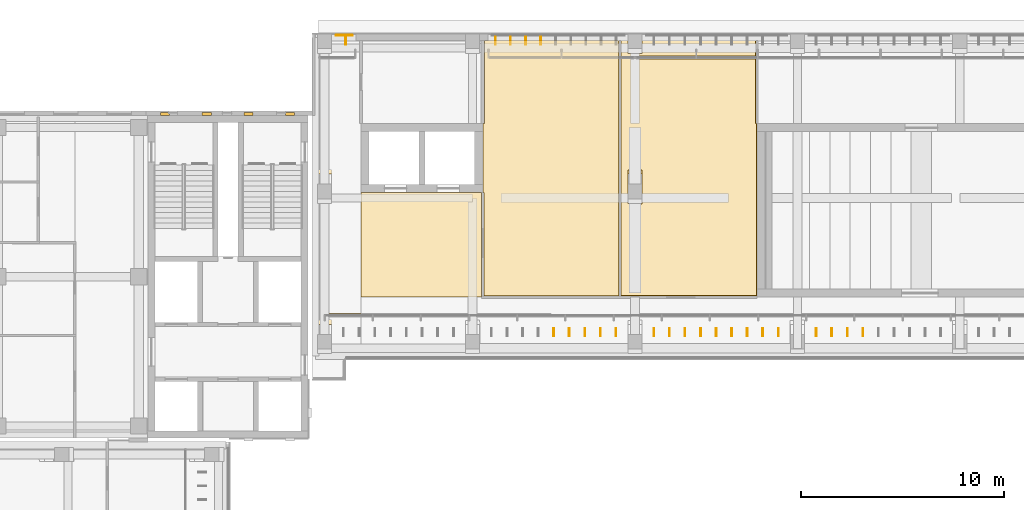
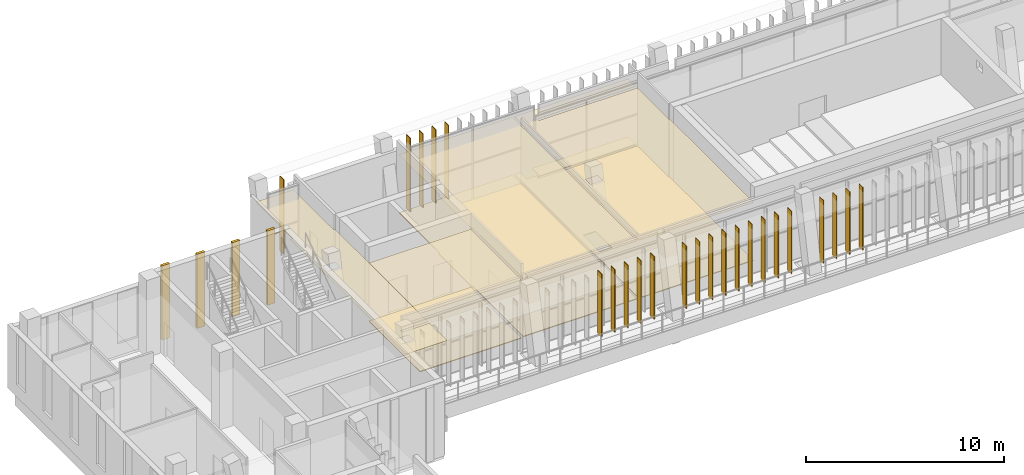
# One storey, part 62 of 74: 23 shading devices, 11 coverings, 1 railing.
"""IFC4 building model written with IfcOpenShell, lengths in metres."""

from ifc_helpers import new_model, si_unit, direction, frame, frame_2d, origin, origin_2d, place, context, subcontext, project, spatial, polyline, rectangle, circle, outline, extrude, material, layer, layer_set, type_object, element, save


model = new_model("IFC4")

# Units and contexts
model_context = context("Model", 3, precision=1e-05, world=origin(), true_north=direction((0.0, 1.0)))
body_context = subcontext(model_context, "Body", "Model", "MODEL_VIEW")
ifc_project = project(units=[si_unit("LENGTHUNIT", "METRE"), si_unit("AREAUNIT", "SQUARE_METRE"), si_unit("VOLUMEUNIT", "CUBIC_METRE"), si_unit("PLANEANGLEUNIT", "RADIAN"), si_unit("MASSUNIT", "GRAM", prefix="KILO")], contexts=[model_context])

# Site, building, storey
site_placement = place(None, origin())
site = spatial("IfcSite", under=ifc_project, at=site_placement, CompositionType="ELEMENT")
building_placement = place(site_placement, origin())
building = spatial("IfcBuilding", under=site, at=building_placement, Name="Lantern Court Media Centre", CompositionType="ELEMENT")
storey_placement = place(building_placement, frame((0.0, 0.0, 19.199951171875)))
storey = spatial("IfcBuildingStorey", under=building, at=storey_placement, Name="L04", CompositionType="ELEMENT", Elevation=19.199951171875)

# Coverings
ifc_material_1 = material(Name="Carpet")
ifc_layer_1 = layer(ifc_material_1, 0.050048828125)
ifc_layer_set_1 = layer_set([ifc_layer_1], Name="Carpet")
covering_type_1 = type_object("IfcCoveringType", Name="Carpet floor finish", PredefinedType="FLOORING", material=ifc_layer_set_1)
covering_1_placement = place(storey_placement, origin())
element("IfcCovering", 1, at=covering_1_placement, inside=storey, type_object=covering_type_1, Name="Production Office 05 floor finish", PredefinedType="FLOORING", context=body_context, shape_type="SweptSolid", body=[
    extrude(outline(polyline([(39.195068359375, 115.699951171875), (39.195068359375, 103.117431640625), (32.5673828125, 103.117431640625), (32.5673828125, 108.195068359375), (32.5048828125, 108.199951171875), (32.5048828125, 111.60009765625), (32.5849609375, 111.60498046875), (32.5849609375, 115.695068359375), (39.195068359375, 115.699951171875)])), origin(), (0.0, 0.0, 1.0), 0.050048828125),
])
covering_2_placement = place(storey_placement, origin())
element("IfcCovering", 2, at=covering_2_placement, inside=storey, type_object=covering_type_1, Name="Production Office 06 floor finish", PredefinedType="FLOORING", context=body_context, shape_type="SweptSolid", body=[
    extrude(outline(polyline([(45.945068359375, 115.699951171875), (45.945068359375, 114.929931640625), (40.199951171875, 114.929931640625), (40.195068359375, 114.77490234375), (45.945068359375, 114.77001953125), (45.945068359375, 111.60498046875), (45.9951171875, 111.60009765625), (45.9951171875, 103.117431640625), (39.304931640625, 103.117431640625), (39.304931640625, 115.699951171875), (39.64501953125, 115.699951171875), (39.64990234375, 115.044921875), (40.353515625, 115.04638671875), (40.35498046875, 115.699951171875), (45.945068359375, 115.699951171875)]), holes=[polyline([(40.35009765625, 107.64501953125), (40.354736328125, 109.30615234375), (39.648193359375, 109.308837890625), (39.645263671875, 107.648193359375), (40.35009765625, 107.64501953125)])]), origin(), (0.0, 0.0, 1.0), 0.050048828125),
])

# Railing
ifc_material_2 = material(Name="Powder-coated steel", Category="steel")
railing_type = type_object("IfcRailingType", Name="Floor edge guard 1100", PredefinedType="GUARDRAIL", material=ifc_material_2)
railing_placement = place(storey_placement, frame((25.27490234375, 115.93994140625, 0.0)))
element("IfcRailing", 3, at=railing_placement, inside=storey, type_object=railing_type, Name="L04 edge guard 124", PredefinedType="GUARDRAIL", context=body_context, shape_type="SweptSolid", body=[
    extrude(circle(Radius=0.02392578125, at=origin_2d()), frame((0.0, 0.0, 1.076171875), z_axis=(1.0, 0.0, 0.0), x_axis=(0.0, 1.0, 0.0)), (0.0, 0.0, 1.0), 0.800048828125),
    extrude(circle(Radius=0.02099609375, at=origin_2d()), origin(), (0.0, 0.0, 1.0), 1.052001953125),
    extrude(circle(Radius=0.02099609375, at=origin_2d()), frame((0.800048828125, 0.0, 0.0)), (0.0, 0.0, 1.0), 1.052001953125),
])

# Coverings
ifc_material_3 = material(Name="Honed limestone cladding", Category="masonry")
ifc_layer_2 = layer(ifc_material_3, 0.14990234375)
ifc_layer_set_2 = layer_set([ifc_layer_2], Name="Honed limestone cladding")
covering_type_2 = type_object("IfcCoveringType", Name="Limestone pilaster cladding 150", PredefinedType="CLADDING", material=ifc_layer_set_2)
for number, where, z_axis, x_axis, name in (
    (4, (16.625, 112.074951171875, 0.0), (0.0, 0.0, 1.0), (1.0, 0.0, 0.0), "Limestone pilaster rib"),
    (5, (18.675048828125, 112.074951171875, 0.0), (0.0, 0.0, 1.0), (1.0, 0.0, 0.0), "Limestone pilaster rib"),
    (6, (20.72509765625, 112.074951171875, 0.0), (0.0, 0.0, 1.0), (1.0, 0.0, 0.0), "Limestone pilaster rib"),
):
    element("IfcCovering", number, at=place(storey_placement, frame(where, z_axis=z_axis, x_axis=x_axis)), inside=storey, type_object=covering_type_2, Name=name, PredefinedType="CLADDING", context=body_context, shape_type="SweptSolid", body=[
        extrude(rectangle(XDim=0.449951171875, YDim=0.14990234375, at=frame_2d((0.22509765625, 0.0))), origin(), (0.0, 0.0, 1.0), 4.580078125),
    ])
covering_3_placement = place(storey_placement, frame((22.77490234375, 112.074951171875, 0.0), z_axis=(0.0, 0.0, 1.0), x_axis=(1.0, 0.0, 0.0)))
element("IfcCovering", 7, at=covering_3_placement, inside=storey, type_object=covering_type_2, Name="Limestone pilaster rib", PredefinedType="CLADDING", context=body_context, shape_type="SweptSolid", body=[
    extrude(rectangle(XDim=0.4501953125, YDim=0.14990234375, at=frame_2d((0.22509765625, 0.0))), origin(), (0.0, 0.0, 1.0), 4.580078125),
])
ifc_material_4 = material(Name="Mineral fibre ceiling tile")
ifc_layer_3 = layer(ifc_material_4, 0.02001953125)
ifc_layer_set_3 = layer_set([ifc_layer_3], Name="Mineral fibre ceiling tile")
covering_type_3 = type_object("IfcCoveringType", Name="Suspended ceiling tile", PredefinedType="CEILING", material=ifc_layer_set_3)
covering_4_placement = place(storey_placement, frame((0.0, 0.0, 3.60009765625)))
element("IfcCovering", 8, at=covering_4_placement, inside=storey, type_object=covering_type_3, Name="End Lobby ceiling", PredefinedType="CEILING", context=body_context, shape_type="SweptSolid", body=[
    extrude(outline(polyline([(26.5, 100.300048828125), (24.10009765625, 100.300048828125), (24.10009765625, 111.99951171875), (24.240478515625, 112.0), (24.240478515625, 115.699951171875), (26.5, 115.699462890625), (26.41943359375, 115.695068359375), (26.41943359375, 111.60498046875), (26.5, 111.6044921875), (26.5, 102.2255859375), (24.8994140625, 102.22509765625), (24.89990234375, 102.074462890625), (26.5, 102.074462890625), (26.5, 100.300048828125)]), holes=[polyline([(25.050048828125, 108.603759765625), (25.05029296875, 109.1025390625), (24.349609375, 109.102294921875), (24.349609375, 108.603759765625), (25.050048828125, 108.603759765625)]), polyline([(25.050537109375, 101.7021484375), (24.349609375, 101.70263671875), (24.349609375, 101.203857421875), (25.05029296875, 101.203857421875), (25.050537109375, 101.7021484375)])]), origin(), (0.0, 0.0, 1.0), 0.02001953125),
])
covering_5_placement = place(storey_placement, frame((0.0, 0.0, 3.60009765625)))
element("IfcCovering", 9, at=covering_5_placement, inside=storey, type_object=covering_type_3, Name="Lift Lobby ceiling", PredefinedType="CEILING", context=body_context, shape_type="SweptSolid", body=[
    extrude(outline(polyline([(32.5, 108.195556640625), (32.43701171875, 108.195068359375), (32.43701171875, 103.050048828125), (26.5, 103.050048828125), (26.5, 108.199462890625), (32.5, 108.195556640625)])), origin(), (0.0, 0.0, 1.0), 0.02001953125),
])
covering_6_placement = place(storey_placement, frame((0.0, 0.0, 3.60009765625)))
element("IfcCovering", 10, at=covering_6_placement, inside=storey, type_object=covering_type_3, Name="Production Office 05 ceiling", PredefinedType="CEILING", context=body_context, shape_type="SweptSolid", body=[
    extrude(outline(polyline([(39.199462890625, 115.699951171875), (39.199462890625, 103.113037109375), (32.56298828125, 103.113037109375), (32.56298828125, 108.195068359375), (32.5, 108.195556640625), (32.5, 111.6044921875), (32.58056640625, 111.60498046875), (32.58056640625, 115.695068359375), (32.5, 115.699462890625), (39.199462890625, 115.699951171875)])), origin(), (0.0, 0.0, 1.0), 0.02001953125),
])
covering_7_placement = place(storey_placement, frame((0.0, 0.0, 3.60009765625)))
element("IfcCovering", 11, at=covering_7_placement, inside=storey, type_object=covering_type_3, Name="Production Office 06 ceiling", PredefinedType="CEILING", context=body_context, shape_type="SweptSolid", body=[
    extrude(outline(polyline([(46.0, 111.6005859375), (45.99951171875, 103.113037109375), (39.300537109375, 103.113037109375), (39.300537109375, 115.699951171875), (45.949462890625, 115.699951171875), (45.949462890625, 114.929931640625), (46.0, 114.925537109375), (40.199951171875, 114.925537109375), (40.199462890625, 114.77490234375), (46.0, 114.7744140625), (45.949462890625, 114.77001953125), (45.949462890625, 111.60498046875), (46.0, 111.6005859375)]), holes=[polyline([(40.3505859375, 109.10205078125), (39.649658203125, 109.1025390625), (39.649658203125, 108.60400390625), (40.350341796875, 108.603759765625), (40.3505859375, 109.10205078125)])]), origin(), (0.0, 0.0, 1.0), 0.02001953125),
])
ifc_material_5 = material(Name="Terrazzo")
ifc_layer_4 = layer(ifc_material_5, 0.050048828125)
ifc_layer_set_4 = layer_set([ifc_layer_4], Name="Terrazzo")
covering_type_4 = type_object("IfcCoveringType", Name="Terrazzo floor finish", PredefinedType="FLOORING", material=ifc_layer_set_4)
covering_8_placement = place(storey_placement, origin())
element("IfcCovering", 12, at=covering_8_placement, inside=storey, type_object=covering_type_4, Name="Lift Lobby floor finish", PredefinedType="FLOORING", context=body_context, shape_type="SweptSolid", body=[
    extrude(outline(polyline([(26.5, 103.050048828125), (26.5, 108.195068359375), (32.4326171875, 108.195068359375), (32.4326171875, 103.050048828125), (26.5, 103.050048828125)])), origin(), (0.0, 0.0, 1.0), 0.050048828125),
])

# Shading devices
ifc_material_6 = material(Name="Bronze anodised aluminium louvre", Category="aluminium")
ifc_layer_5 = layer(ifc_material_6, 0.0400390625)
ifc_layer_set_5 = layer_set([ifc_layer_5], Name="Bronze anodised aluminium louvre")
shading_device_type_1 = type_object("IfcShadingDeviceType", Name="Vertical louvre 40x400 full storey", PredefinedType="USERDEFINED", material=ifc_layer_set_5)
for number, where, z_axis, x_axis, name in (
    (13, (25.75, 115.679931640625, 0.0), (0.0, 0.0, 1.0), (1.0, 0.0, 0.0), "Vertical louvre N outer L04"),
    (14, (33.122314453125, 115.679931640625, 0.0), (0.0, 0.0, 1.0), (1.0, 0.0, 0.0), "Vertical louvre N outer L04"),
    (15, (33.86669921875, 115.679931640625, 0.0), (0.0, 0.0, 1.0), (1.0, 0.0, 0.0), "Vertical louvre N outer L04"),
    (16, (34.611083984375, 115.679931640625, 0.0), (0.0, 0.0, 1.0), (1.0, 0.0, 0.0), "Vertical louvre N outer L04"),
    (17, (35.35546875, 115.679931640625, 0.0), (0.0, 0.0, 1.0), (1.0, 0.0, 0.0), "Vertical louvre N outer L04"),
):
    element("IfcShadingDevice", number, at=place(storey_placement, frame(where, z_axis=z_axis, x_axis=x_axis)), inside=storey, type_object=shading_device_type_1, Name=name, ObjectType="VERTICAL LOUVRE", PredefinedType="USERDEFINED", context=body_context, shape_type="SweptSolid", body=[
        extrude(rectangle(XDim=0.0400390625, YDim=0.39990234375, at=origin_2d()), origin(), (0.0, 0.0, 1.0), 4.580078125),
    ])
ifc_layer_6 = layer(ifc_material_6, 0.0400390625)
ifc_layer_set_6 = layer_set([ifc_layer_6], Name="Bronze anodised aluminium louvre")
shading_device_type_2 = type_object("IfcShadingDeviceType", Name="Vertical louvre 40x400 under beam", PredefinedType="USERDEFINED", material=ifc_layer_set_6)
for number, where, z_axis, x_axis, name in (
    (18, (36.0, 101.320068359375, 0.0), (0.0, 0.0, 1.0), (1.0, 0.0, 0.0), "Vertical louvre N inner L04"),
    (19, (36.7666015625, 101.320068359375, 0.0), (0.0, 0.0, 1.0), (1.0, 0.0, 0.0), "Vertical louvre N inner L04"),
    (20, (37.533447265625, 101.320068359375, 0.0), (0.0, 0.0, 1.0), (1.0, 0.0, 0.0), "Vertical louvre N inner L04"),
    (21, (38.300048828125, 101.320068359375, 0.0), (0.0, 0.0, 1.0), (1.0, 0.0, 0.0), "Vertical louvre N inner L04"),
    (22, (39.066650390625, 101.320068359375, 0.0), (0.0, 0.0, 1.0), (1.0, 0.0, 0.0), "Vertical louvre N inner L04"),
    (23, (40.933349609375, 101.320068359375, 0.0), (0.0, 0.0, 1.0), (1.0, 0.0, 0.0), "Vertical louvre N inner L04"),
    (24, (41.699951171875, 101.320068359375, 0.0), (0.0, 0.0, 1.0), (1.0, 0.0, 0.0), "Vertical louvre N inner L04"),
    (25, (42.466552734375, 101.320068359375, 0.0), (0.0, 0.0, 1.0), (1.0, 0.0, 0.0), "Vertical louvre N inner L04"),
    (26, (43.2333984375, 101.320068359375, 0.0), (0.0, 0.0, 1.0), (1.0, 0.0, 0.0), "Vertical louvre N inner L04"),
    (27, (44.0, 101.320068359375, 0.0), (0.0, 0.0, 1.0), (1.0, 0.0, 0.0), "Vertical louvre N inner L04"),
    (28, (44.7666015625, 101.320068359375, 0.0), (0.0, 0.0, 1.0), (1.0, 0.0, 0.0), "Vertical louvre N inner L04"),
    (29, (45.533447265625, 101.320068359375, 0.0), (0.0, 0.0, 1.0), (1.0, 0.0, 0.0), "Vertical louvre N inner L04"),
    (30, (46.300048828125, 101.320068359375, 0.0), (0.0, 0.0, 1.0), (1.0, 0.0, 0.0), "Vertical louvre N inner L04"),
    (31, (47.066650390625, 101.320068359375, 0.0), (0.0, 0.0, 1.0), (1.0, 0.0, 0.0), "Vertical louvre N inner L04"),
    (32, (48.933349609375, 101.320068359375, 0.0), (0.0, 0.0, 1.0), (1.0, 0.0, 0.0), "Vertical louvre N inner L04"),
    (33, (49.699951171875, 101.320068359375, 0.0), (0.0, 0.0, 1.0), (1.0, 0.0, 0.0), "Vertical louvre N inner L04"),
    (34, (50.466552734375, 101.320068359375, 0.0), (0.0, 0.0, 1.0), (1.0, 0.0, 0.0), "Vertical louvre N inner L04"),
    (35, (51.2333984375, 101.320068359375, 0.0), (0.0, 0.0, 1.0), (1.0, 0.0, 0.0), "Vertical louvre N inner L04"),
):
    element("IfcShadingDevice", number, at=place(storey_placement, frame(where, z_axis=z_axis, x_axis=x_axis)), inside=storey, type_object=shading_device_type_2, Name=name, ObjectType="VERTICAL LOUVRE", PredefinedType="USERDEFINED", context=body_context, shape_type="SweptSolid", body=[
        extrude(rectangle(XDim=0.0400390625, YDim=0.39990234375, at=origin_2d()), origin(), (0.0, 0.0, 1.0), 3.89990234375),
    ])

save(model, "model.ifc")
